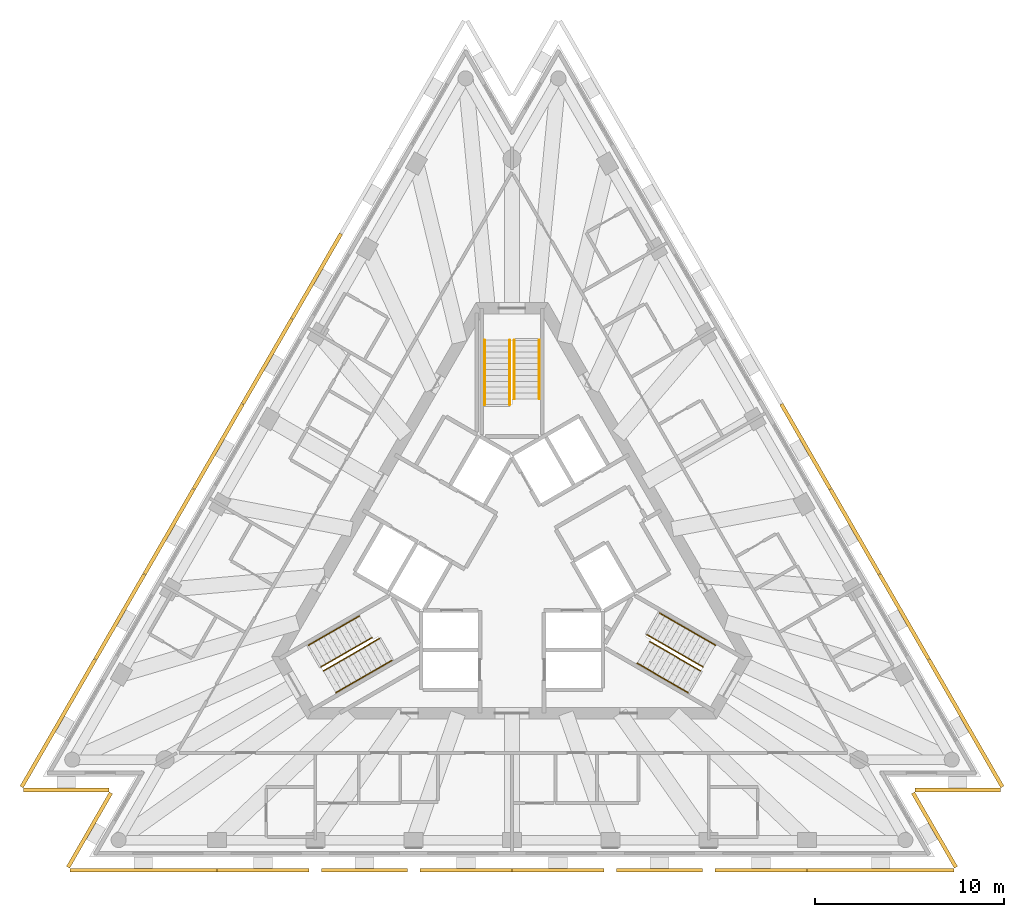
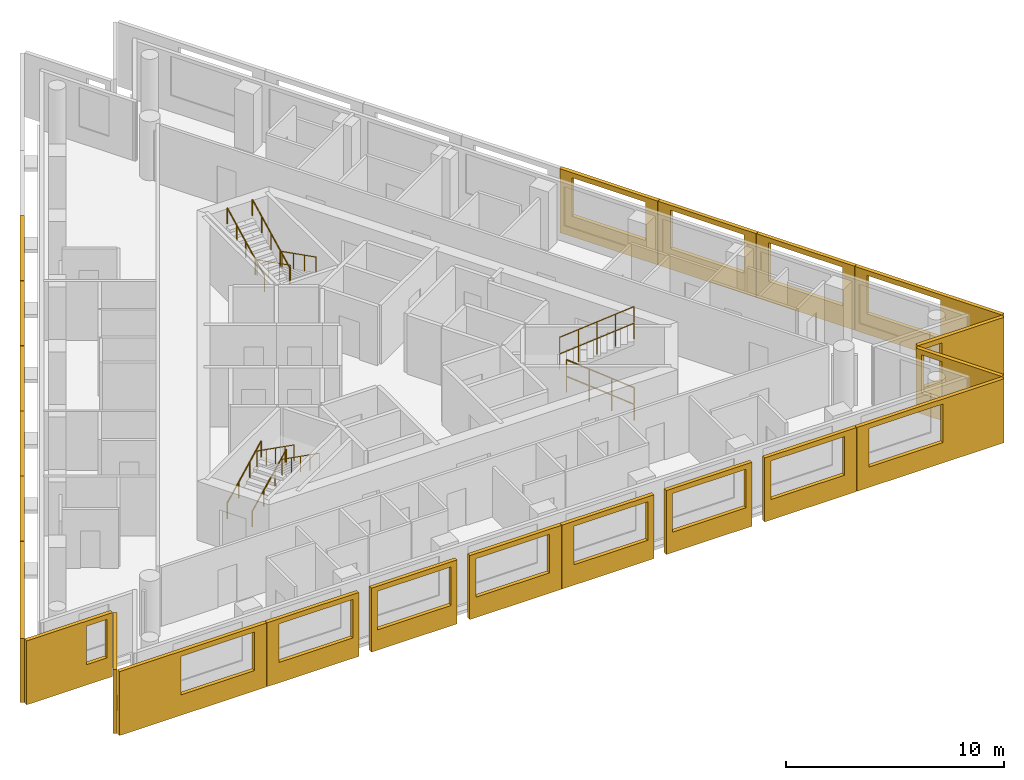
# One storey, part 9 of 10: 22 shading devices, 12 railings, 3 elements without a shape of their own.
"""IFC4 building model written with IfcOpenShell, lengths in metres."""

from ifc_helpers import new_model, si_unit, direction, frame, origin, origin_2d, place, context, subcontext, project, spatial, polyline, circle, outline, extrude, material, layer, layer_set, type_object, element, aggregate, save


model = new_model("IFC4")

# Units and contexts
model_context = context("Model", 3, precision=1e-05, world=origin(), true_north=direction((0.0, 1.0)))
body_context = subcontext(model_context, "Body", "Model", "MODEL_VIEW")
ifc_project = project(units=[si_unit("LENGTHUNIT", "METRE"), si_unit("AREAUNIT", "SQUARE_METRE"), si_unit("VOLUMEUNIT", "CUBIC_METRE"), si_unit("PLANEANGLEUNIT", "RADIAN"), si_unit("MASSUNIT", "GRAM", prefix="KILO")], contexts=[model_context])

# Site, building, storey
site_placement = place(None, origin())
site = spatial("IfcSite", under=ifc_project, at=site_placement, CompositionType="ELEMENT")
building_placement = place(site_placement, origin())
building = spatial("IfcBuilding", under=site, at=building_placement, Name="Triada Interchange Tower", CompositionType="ELEMENT")
storey_placement = place(building_placement, frame((0.0, 0.0, 315.10009765625)))
storey = spatial("IfcBuildingStorey", under=building, at=storey_placement, Name="L75", CompositionType="ELEMENT", Elevation=315.10009765625)

# Shading devices
ifc_material_1 = material(Name="Concrete C50/60 precast", Category="concrete")
ifc_layer_1 = layer(ifc_material_1, 0.02001953125, Name="Exposed aggregate face")
ifc_layer_2 = layer(ifc_material_1, 0.179931640625, Name="Precast concrete screen")
ifc_layer_set = layer_set([ifc_layer_1, ifc_layer_2], Name="Outer skin screen panel 3580")
shading_device_type = type_object("IfcShadingDeviceType", Name="Outer skin screen panel 3580", PredefinedType="SHUTTER", material=ifc_layer_set)
shading_device_1_placement = place(storey_placement, frame((-8.968017578125, 17.19189453125, -0.2900390625), z_axis=(0.0, 0.0, 1.0), x_axis=(-0.500082331196, -0.865977864628, 0.0)))
element("IfcShadingDevice", 1, at=shading_device_1_placement, inside=storey, type_object=shading_device_type, Name="Outer skin screen panel L75 03", PredefinedType="SHUTTER", context=body_context, shape_type="SweptSolid", body=[
    extrude(outline(polyline([(0.0, 0.0), (5.187255859375, 0.0), (5.187255859375, 3.579833984375), (0.0, 3.579833984375), (0.0, 0.0)]), holes=[polyline([(0.64404296875, 1.139892578125), (0.64404296875, 3.300048828125), (4.5439453125, 3.300048828125), (4.5439453125, 1.139892578125), (0.64404296875, 1.139892578125)])]), frame((0.0, 0.0, 0.0), z_axis=(0.0, -1.0, 0.0), x_axis=(1.0, 0.0, 0.0)), (0.0, 0.0, 1.0), 0.199951171875),
])
shading_device_2_placement = place(storey_placement, frame((-11.572021484375, 12.681884765625, -0.2900390625), z_axis=(0.0, 0.0, 1.0), x_axis=(-0.500082331196, -0.865977864628, 0.0)))
element("IfcShadingDevice", 2, at=shading_device_2_placement, inside=storey, type_object=shading_device_type, Name="Outer skin screen panel L75 04", PredefinedType="SHUTTER", context=body_context, shape_type="SweptSolid", body=[
    extrude(outline(polyline([(0.0, 0.0), (5.187255859375, 0.0), (5.187255859375, 3.579833984375), (0.0, 3.579833984375), (0.0, 0.0)]), holes=[polyline([(0.643798828125, 1.139892578125), (0.643798828125, 3.300048828125), (4.543701171875, 3.300048828125), (4.543701171875, 1.139892578125), (0.643798828125, 1.139892578125)])]), frame((0.0, 0.0, 0.0), z_axis=(0.0, -1.0, 0.0), x_axis=(1.0, 0.0, 0.0)), (0.0, 0.0, 1.0), 0.199951171875),
])
shading_device_3_placement = place(storey_placement, frame((-14.176025390625, 8.173095703125, -0.2900390625), z_axis=(0.0, 0.0, 1.0), x_axis=(-0.499920746991, -0.866071155695, 0.0)))
element("IfcShadingDevice", 3, at=shading_device_3_placement, inside=storey, type_object=shading_device_type, Name="Outer skin screen panel L75 05", PredefinedType="SHUTTER", context=body_context, shape_type="SweptSolid", body=[
    extrude(outline(polyline([(0.0, 0.0), (5.186767578125, 0.0), (5.186767578125, 3.579833984375), (0.0, 3.579833984375), (0.0, 0.0)]), holes=[polyline([(0.6435546875, 1.139892578125), (0.6435546875, 3.300048828125), (4.54345703125, 3.300048828125), (4.54345703125, 1.139892578125), (0.6435546875, 1.139892578125)])]), frame((0.0, 0.0, 0.0), z_axis=(0.0, -1.0, 0.0), x_axis=(1.0, 0.0, 0.0)), (0.0, 0.0, 1.0), 0.199951171875),
])
shading_device_4_placement = place(storey_placement, frame((-16.779052734375, 3.6630859375, -0.2900390625), z_axis=(0.0, 0.0, 1.0), x_axis=(-0.500061949227, -0.865989634427, 0.0)))
element("IfcShadingDevice", 4, at=shading_device_4_placement, inside=storey, type_object=shading_device_type, Name="Outer skin screen panel L75 06", PredefinedType="SHUTTER", context=body_context, shape_type="SweptSolid", body=[
    extrude(outline(polyline([(0.0, 0.0), (5.187255859375, 0.0), (5.187255859375, 3.579833984375), (0.0, 3.579833984375), (0.0, 0.0)]), holes=[polyline([(0.643310546875, 1.139892578125), (0.643310546875, 3.300048828125), (4.543212890625, 3.300048828125), (4.543212890625, 1.139892578125), (0.643310546875, 1.139892578125)])]), frame((0.0, 0.0, 0.0), z_axis=(0.0, -1.0, 0.0), x_axis=(1.0, 0.0, 0.0)), (0.0, 0.0, 1.0), 0.199951171875),
])
shading_device_5_placement = place(storey_placement, frame((-19.383056640625, -0.845947265625, -0.2900390625), z_axis=(0.0, 0.0, 1.0), x_axis=(-0.499980435197, -0.866036699234, 0.0)))
element("IfcShadingDevice", 5, at=shading_device_5_placement, inside=storey, type_object=shading_device_type, Name="Outer skin screen panel L75 07", PredefinedType="SHUTTER", context=body_context, shape_type="SweptSolid", body=[
    extrude(outline(polyline([(0.0, 0.0), (5.188232421875, 0.0), (5.188232421875, 3.579833984375), (0.0, 3.579833984375), (0.0, 0.0)]), holes=[polyline([(0.643798828125, 1.139892578125), (0.643798828125, 3.300048828125), (4.5439453125, 3.300048828125), (4.5439453125, 1.139892578125), (0.643798828125, 1.139892578125)])]), frame((0.0, 0.0, 0.0), z_axis=(0.0, -1.0, 0.0), x_axis=(1.0, 0.0, 0.0)), (0.0, 0.0, 1.0), 0.199951171875),
])
shading_device_6_placement = place(storey_placement, frame((-21.987060546875, -5.35595703125, -0.2900390625), z_axis=(0.0, 0.0, 1.0), x_axis=(-0.499940544041, -0.866059727977, 0.0)))
element("IfcShadingDevice", 6, at=shading_device_6_placement, inside=storey, type_object=shading_device_type, Name="Outer skin screen panel L75 08", PredefinedType="SHUTTER", context=body_context, shape_type="SweptSolid", body=[
    extrude(outline(polyline([(0.0, 0.0), (7.78466796875, 0.0), (7.78466796875, 3.579833984375), (0.0, 3.579833984375), (0.0, 0.0)]), holes=[polyline([(0.643798828125, 1.139892578125), (0.643798828125, 3.300048828125), (4.543701171875, 3.300048828125), (4.543701171875, 1.139892578125), (0.643798828125, 1.139892578125)])]), frame((0.0, 0.0, 0.0), z_axis=(0.0, -1.0, 0.0), x_axis=(1.0, 0.0, 0.0)), (0.0, 0.0, 1.0), 0.199951171875),
])
shading_device_7_placement = place(storey_placement, frame((-25.8740234375, -12.10693359375, -0.2900390625), z_axis=(0.0, 0.0, 1.0), x_axis=(1.0, 0.0, 0.0)))
element("IfcShadingDevice", 7, at=shading_device_7_placement, inside=storey, type_object=shading_device_type, Name="Outer skin screen panel L75 09", PredefinedType="SHUTTER", context=body_context, shape_type="SweptSolid", body=[
    extrude(outline(polyline([(0.0, 0.0), (4.547119140625, 0.0), (4.547119140625, 3.579833984375), (0.0, 3.579833984375), (0.0, 0.0)]), holes=[polyline([(3.175048828125, 1.139892578125), (3.175048828125, 3.300048828125), (4.2470703125, 3.300048828125), (4.2470703125, 1.139892578125), (3.175048828125, 1.139892578125)])]), frame((0.0, 0.0, 0.0), z_axis=(0.0, -1.0, 0.0), x_axis=(1.0, 0.0, 0.0)), (0.0, 0.0, 1.0), 0.199951171875),
])
shading_device_8_placement = place(storey_placement, frame((-21.14794921875, -12.416015625, -0.2900390625), z_axis=(0.0, 0.0, 1.0), x_axis=(-0.500094224052, -0.865970996668, 0.0)))
element("IfcShadingDevice", 8, at=shading_device_8_placement, inside=storey, type_object=shading_device_type, Name="Outer skin screen panel L75 10", PredefinedType="SHUTTER", context=body_context, shape_type="SweptSolid", body=[
    extrude(outline(polyline([(0.0, 0.0), (4.54736328125, 0.0), (4.54736328125, 3.579833984375), (0.0, 3.579833984375), (0.0, 0.0)]), holes=[polyline([(0.300048828125, 1.139892578125), (0.300048828125, 3.300048828125), (1.258056640625, 3.300048828125), (1.258056640625, 1.139892578125), (0.300048828125, 1.139892578125)])]), frame((0.0, 0.0, 0.0), z_axis=(0.0, -1.0, 0.0), x_axis=(1.0, 0.0, 0.0)), (0.0, 0.0, 1.0), 0.199951171875),
])
shading_device_9_placement = place(storey_placement, frame((-23.4169921875, -16.363037109375, -0.2900390625), z_axis=(0.0, 0.0, 1.0), x_axis=(1.0, 0.0, 0.0)))
element("IfcShadingDevice", 9, at=shading_device_9_placement, inside=storey, type_object=shading_device_type, Name="Outer skin screen panel L75 11", PredefinedType="SHUTTER", context=body_context, shape_type="SweptSolid", body=[
    extrude(outline(polyline([(0.0, 0.0), (7.784912109375, 0.0), (7.784912109375, 3.579833984375), (0.0, 3.579833984375), (0.0, 0.0)]), holes=[polyline([(3.241943359375, 1.139892578125), (3.241943359375, 3.300048828125), (7.14208984375, 3.300048828125), (7.14208984375, 1.139892578125), (3.241943359375, 1.139892578125)])]), frame((0.0, 0.0, 0.0), z_axis=(0.0, -1.0, 0.0), x_axis=(1.0, 0.0, 0.0)), (0.0, 0.0, 1.0), 0.199951171875),
])
shading_device_10_placement = place(storey_placement, frame((-15.612060546875, -16.363037109375, -0.2900390625), z_axis=(0.0, 0.0, 1.0), x_axis=(1.0, 0.0, 0.0)))
element("IfcShadingDevice", 10, at=shading_device_10_placement, inside=storey, type_object=shading_device_type, Name="Outer skin screen panel L75 12", PredefinedType="SHUTTER", context=body_context, shape_type="SweptSolid", body=[
    extrude(outline(polyline([(0.0, 0.0), (4.864013671875, 0.0), (4.864013671875, 3.579833984375), (0.0, 3.579833984375), (0.0, 0.0)]), holes=[polyline([(0.643798828125, 1.139892578125), (0.643798828125, 3.300048828125), (4.543701171875, 3.300048828125), (4.543701171875, 1.139892578125), (0.643798828125, 1.139892578125)])]), frame((0.0, 0.0, 0.0), z_axis=(0.0, -1.0, 0.0), x_axis=(1.0, 0.0, 0.0)), (0.0, 0.0, 1.0), 0.199951171875),
])
shading_device_11_placement = place(storey_placement, frame((-10.080078125, -16.363037109375, -0.2900390625), z_axis=(0.0, 0.0, 1.0), x_axis=(1.0, 0.0, 0.0)))
element("IfcShadingDevice", 11, at=shading_device_11_placement, inside=storey, type_object=shading_device_type, Name="Outer skin screen panel L75 13", PredefinedType="SHUTTER", context=body_context, shape_type="SweptSolid", body=[
    extrude(outline(polyline([(0.0, 0.0), (4.5390625, 0.0), (4.5390625, 3.579833984375), (0.0, 3.579833984375), (0.0, 0.0)]), holes=[polyline([(0.319091796875, 1.139892578125), (0.319091796875, 3.300048828125), (4.218994140625, 3.300048828125), (4.218994140625, 1.139892578125), (0.319091796875, 1.139892578125)])]), frame((0.0, 0.0, 0.0), z_axis=(0.0, -1.0, 0.0), x_axis=(1.0, 0.0, 0.0)), (0.0, 0.0, 1.0), 0.199951171875),
])
shading_device_12_placement = place(storey_placement, frame((-4.873046875, -16.363037109375, -0.2900390625), z_axis=(0.0, 0.0, 1.0), x_axis=(1.0, 0.0, 0.0)))
element("IfcShadingDevice", 12, at=shading_device_12_placement, inside=storey, type_object=shading_device_type, Name="Outer skin screen panel L75 14", PredefinedType="SHUTTER", context=body_context, shape_type="SweptSolid", body=[
    extrude(outline(polyline([(0.0, 0.0), (4.863037109375, 0.0), (4.863037109375, 3.579833984375), (0.0, 3.579833984375), (0.0, 0.0)]), holes=[polyline([(0.319091796875, 1.139892578125), (0.319091796875, 3.300048828125), (4.218994140625, 3.300048828125), (4.218994140625, 1.139892578125), (0.319091796875, 1.139892578125)])]), frame((0.0, 0.0, 0.0), z_axis=(0.0, -1.0, 0.0), x_axis=(1.0, 0.0, 0.0)), (0.0, 0.0, 1.0), 0.199951171875),
])
shading_device_13_placement = place(storey_placement, frame((0.010009765625, -16.363037109375, -0.2900390625), z_axis=(0.0, 0.0, 1.0), x_axis=(1.0, 0.0, 0.0)))
element("IfcShadingDevice", 13, at=shading_device_13_placement, inside=storey, type_object=shading_device_type, Name="Outer skin screen panel L75 15", PredefinedType="SHUTTER", context=body_context, shape_type="SweptSolid", body=[
    extrude(outline(polyline([(0.0, 0.0), (4.863037109375, 0.0), (4.863037109375, 3.579833984375), (0.0, 3.579833984375), (0.0, 0.0)]), holes=[polyline([(0.64404296875, 1.139892578125), (0.64404296875, 3.300048828125), (4.5439453125, 3.300048828125), (4.5439453125, 1.139892578125), (0.64404296875, 1.139892578125)])]), frame((0.0, 0.0, 0.0), z_axis=(0.0, -1.0, 0.0), x_axis=(1.0, 0.0, 0.0)), (0.0, 0.0, 1.0), 0.199951171875),
])
shading_device_14_placement = place(storey_placement, frame((5.541015625, -16.363037109375, -0.2900390625), z_axis=(0.0, 0.0, 1.0), x_axis=(1.0, 0.0, 0.0)))
element("IfcShadingDevice", 14, at=shading_device_14_placement, inside=storey, type_object=shading_device_type, Name="Outer skin screen panel L75 16", PredefinedType="SHUTTER", context=body_context, shape_type="SweptSolid", body=[
    extrude(outline(polyline([(0.0, 0.0), (4.5390625, 0.0), (4.5390625, 3.579833984375), (0.0, 3.579833984375), (0.0, 0.0)]), holes=[polyline([(0.320068359375, 1.139892578125), (0.320068359375, 3.300048828125), (4.219970703125, 3.300048828125), (4.219970703125, 1.139892578125), (0.320068359375, 1.139892578125)])]), frame((0.0, 0.0, 0.0), z_axis=(0.0, -1.0, 0.0), x_axis=(1.0, 0.0, 0.0)), (0.0, 0.0, 1.0), 0.199951171875),
])
shading_device_15_placement = place(storey_placement, frame((10.748046875, -16.363037109375, -0.2900390625), z_axis=(0.0, 0.0, 1.0), x_axis=(1.0, 0.0, 0.0)))
element("IfcShadingDevice", 15, at=shading_device_15_placement, inside=storey, type_object=shading_device_type, Name="Outer skin screen panel L75 17", PredefinedType="SHUTTER", context=body_context, shape_type="SweptSolid", body=[
    extrude(outline(polyline([(0.0, 0.0), (4.864013671875, 0.0), (4.864013671875, 3.579833984375), (0.0, 3.579833984375), (0.0, 0.0)]), holes=[polyline([(0.320068359375, 1.139892578125), (0.320068359375, 3.300048828125), (4.219970703125, 3.300048828125), (4.219970703125, 1.139892578125), (0.320068359375, 1.139892578125)])]), frame((0.0, 0.0, 0.0), z_axis=(0.0, -1.0, 0.0), x_axis=(1.0, 0.0, 0.0)), (0.0, 0.0, 1.0), 0.199951171875),
])
shading_device_16_placement = place(storey_placement, frame((15.632080078125, -16.363037109375, -0.2900390625), z_axis=(0.0, 0.0, 1.0), x_axis=(1.0, 0.0, 0.0)))
element("IfcShadingDevice", 16, at=shading_device_16_placement, inside=storey, type_object=shading_device_type, Name="Outer skin screen panel L75 18", PredefinedType="SHUTTER", context=body_context, shape_type="SweptSolid", body=[
    extrude(outline(polyline([(0.0, 0.0), (7.784912109375, 0.0), (7.784912109375, 3.579833984375), (0.0, 3.579833984375), (0.0, 0.0)]), holes=[polyline([(0.643310546875, 1.139892578125), (0.643310546875, 3.300048828125), (4.543212890625, 3.300048828125), (4.543212890625, 1.139892578125), (0.643310546875, 1.139892578125)])]), frame((0.0, 0.0, 0.0), z_axis=(0.0, -1.0, 0.0), x_axis=(1.0, 0.0, 0.0)), (0.0, 0.0, 1.0), 0.199951171875),
])
shading_device_17_placement = place(storey_placement, frame((23.422119140625, -16.35400390625, -0.2900390625), z_axis=(0.0, 0.0, 1.0), x_axis=(-0.500094224052, 0.865970996668, 0.0)))
element("IfcShadingDevice", 17, at=shading_device_17_placement, inside=storey, type_object=shading_device_type, Name="Outer skin screen panel L75 19", PredefinedType="SHUTTER", context=body_context, shape_type="SweptSolid", body=[
    extrude(outline(polyline([(0.0, 0.0), (4.54736328125, 0.0), (4.54736328125, 3.579833984375), (0.0, 3.579833984375), (0.0, 0.0)]), holes=[polyline([(3.17529296875, 1.139892578125), (3.17529296875, 3.300048828125), (4.24755859375, 3.300048828125), (4.24755859375, 1.139892578125), (3.17529296875, 1.139892578125)])]), frame((0.0, 0.0, 0.0), z_axis=(0.0, -1.0, 0.0), x_axis=(1.0, 0.0, 0.0)), (0.0, 0.0, 1.0), 0.199951171875),
])
shading_device_18_placement = place(storey_placement, frame((21.326904296875, -12.10693359375, -0.2900390625), z_axis=(0.0, 0.0, 1.0), x_axis=(1.0, 0.0, 0.0)))
element("IfcShadingDevice", 18, at=shading_device_18_placement, inside=storey, type_object=shading_device_type, Name="Outer skin screen panel L75 20", PredefinedType="SHUTTER", context=body_context, shape_type="SweptSolid", body=[
    extrude(outline(polyline([(0.0, 0.0), (4.547119140625, 0.0), (4.547119140625, 3.579833984375), (0.0, 3.579833984375), (0.0, 0.0)]), holes=[polyline([(0.300048828125, 1.139892578125), (0.300048828125, 3.300048828125), (1.258056640625, 3.300048828125), (1.258056640625, 1.139892578125), (0.300048828125, 1.139892578125)])]), frame((0.0, 0.0, 0.0), z_axis=(0.0, -1.0, 0.0), x_axis=(1.0, 0.0, 0.0)), (0.0, 0.0, 1.0), 0.199951171875),
])
shading_device_19_placement = place(storey_placement, frame((25.87890625, -12.097900390625, -0.2900390625), z_axis=(0.0, 0.0, 1.0), x_axis=(-0.499940544041, 0.866059727977, 0.0)))
element("IfcShadingDevice", 19, at=shading_device_19_placement, inside=storey, type_object=shading_device_type, Name="Outer skin screen panel L75 21", PredefinedType="SHUTTER", context=body_context, shape_type="SweptSolid", body=[
    extrude(outline(polyline([(0.0, 0.0), (7.78466796875, 0.0), (7.78466796875, 3.579833984375), (0.0, 3.579833984375), (0.0, 0.0)]), holes=[polyline([(3.2412109375, 1.139892578125), (3.2412109375, 3.300048828125), (7.141357421875, 3.300048828125), (7.141357421875, 1.139892578125), (3.2412109375, 1.139892578125)])]), frame((0.0, 0.0, 0.0), z_axis=(0.0, -1.0, 0.0), x_axis=(1.0, 0.0, 0.0)), (0.0, 0.0, 1.0), 0.199951171875),
])
shading_device_20_placement = place(storey_placement, frame((21.97705078125, -5.339111328125, -0.2900390625), z_axis=(0.0, 0.0, 1.0), x_axis=(-0.499980435197, 0.866036699234, 0.0)))
element("IfcShadingDevice", 20, at=shading_device_20_placement, inside=storey, type_object=shading_device_type, Name="Outer skin screen panel L75 22", PredefinedType="SHUTTER", context=body_context, shape_type="SweptSolid", body=[
    extrude(outline(polyline([(0.0, 0.0), (5.188232421875, 0.0), (5.188232421875, 3.579833984375), (0.0, 3.579833984375), (0.0, 0.0)]), holes=[polyline([(0.64404296875, 1.139892578125), (0.64404296875, 3.300048828125), (4.5439453125, 3.300048828125), (4.5439453125, 1.139892578125), (0.64404296875, 1.139892578125)])]), frame((0.0, 0.0, 0.0), z_axis=(0.0, -1.0, 0.0), x_axis=(1.0, 0.0, 0.0)), (0.0, 0.0, 1.0), 0.199951171875),
])
shading_device_21_placement = place(storey_placement, frame((19.373046875, -0.8291015625, -0.2900390625), z_axis=(0.0, 0.0, 1.0), x_axis=(-0.500061949227, 0.865989634427, 0.0)))
element("IfcShadingDevice", 21, at=shading_device_21_placement, inside=storey, type_object=shading_device_type, Name="Outer skin screen panel L75 23", PredefinedType="SHUTTER", context=body_context, shape_type="SweptSolid", body=[
    extrude(outline(polyline([(0.0, 0.0), (5.187255859375, 0.0), (5.187255859375, 3.579833984375), (0.0, 3.579833984375), (0.0, 0.0)]), holes=[polyline([(0.643798828125, 1.139892578125), (0.643798828125, 3.300048828125), (4.543701171875, 3.300048828125), (4.543701171875, 1.139892578125), (0.643798828125, 1.139892578125)])]), frame((0.0, 0.0, 0.0), z_axis=(0.0, -1.0, 0.0), x_axis=(1.0, 0.0, 0.0)), (0.0, 0.0, 1.0), 0.199951171875),
])
shading_device_22_placement = place(storey_placement, frame((16.76904296875, 3.680908203125, -0.2900390625), z_axis=(0.0, 0.0, 1.0), x_axis=(-0.499920746991, 0.866071155695, 0.0)))
element("IfcShadingDevice", 22, at=shading_device_22_placement, inside=storey, type_object=shading_device_type, Name="Outer skin screen panel L75 24", PredefinedType="SHUTTER", context=body_context, shape_type="SweptSolid", body=[
    extrude(outline(polyline([(0.0, 0.0), (5.186767578125, 0.0), (5.186767578125, 3.579833984375), (0.0, 3.579833984375), (0.0, 0.0)]), holes=[polyline([(0.643310546875, 1.139892578125), (0.643310546875, 3.300048828125), (4.54345703125, 3.300048828125), (4.54345703125, 1.139892578125), (0.643310546875, 1.139892578125)])]), frame((0.0, 0.0, 0.0), z_axis=(0.0, -1.0, 0.0), x_axis=(1.0, 0.0, 0.0)), (0.0, 0.0, 1.0), 0.199951171875),
])

# Stair, railings
ifc_material_2 = material(Name="Concrete C35/45", Category="concrete")
stair_type = type_object("IfcStairType", Name="HALF TURN STAIR 1400", PredefinedType="HALF_TURN_STAIR", material=ifc_material_2)
stair_1_placement = place(storey_placement, origin())
stair_1 = element("IfcStair", 23, at=stair_1_placement, inside=storey, type_object=stair_type, Name="Exit stair S74-1", PredefinedType="HALF_TURN_STAIR")
ifc_material_3 = material(Name="Stainless steel 1.4301", Category="steel")
railing_type = type_object("IfcRailingType", Name="STAIR HANDRAIL 900", PredefinedType="HANDRAIL", material=ifc_material_3)
railing_1_placement = place(storey_placement, frame((1.449951171875, 11.60009765625, 0.156494140625)))
railing_1 = element("IfcRailing", 24, at=railing_1_placement, type_object=railing_type, Name="Handrail S74-1 1W", PredefinedType="HANDRAIL", context=body_context, shape_type="SweptSolid", body=[
    extrude(circle(Radius=0.02392578125, at=origin_2d()), frame((0.0, 0.0, 0.8759765625), z_axis=(0.0, -0.89267693942, 0.450697106522), x_axis=(1.0, 0.0, 0.0)), (0.0, 0.0, 1.0), 3.472900390625),
    extrude(circle(Radius=0.02099609375, at=origin_2d()), origin(), (0.0, 0.0, 1.0), 0.851806640625),
    extrude(circle(Radius=0.02099609375, at=origin_2d()), frame((0.0, -1.033447265625, 0.521728515625)), (0.0, 0.0, 1.0), 0.851806640625),
    extrude(circle(Radius=0.02099609375, at=origin_2d()), frame((0.0, -2.066650390625, 1.04345703125)), (0.0, 0.0, 1.0), 0.851806640625),
    extrude(circle(Radius=0.02099609375, at=origin_2d()), frame((0.0, -3.10009765625, 1.565185546875)), (0.0, 0.0, 1.0), 0.851806640625),
])
railing_2_placement = place(storey_placement, frame((0.1201171875, 11.60009765625, 0.156494140625)))
railing_2 = element("IfcRailing", 25, at=railing_2_placement, type_object=railing_type, Name="Handrail S74-1 1C", PredefinedType="HANDRAIL", context=body_context, shape_type="SweptSolid", body=[
    extrude(circle(Radius=0.02392578125, at=origin_2d()), frame((0.0, 0.0, 0.8759765625), z_axis=(0.0, -0.89267693942, 0.450697106522), x_axis=(1.0, 0.0, 0.0)), (0.0, 0.0, 1.0), 3.472900390625),
    extrude(circle(Radius=0.02099609375, at=origin_2d()), origin(), (0.0, 0.0, 1.0), 0.851806640625),
    extrude(circle(Radius=0.02099609375, at=origin_2d()), frame((0.0, -1.033447265625, 0.521728515625)), (0.0, 0.0, 1.0), 0.851806640625),
    extrude(circle(Radius=0.02099609375, at=origin_2d()), frame((0.0, -2.066650390625, 1.04345703125)), (0.0, 0.0, 1.0), 0.851806640625),
    extrude(circle(Radius=0.02099609375, at=origin_2d()), frame((0.0, -3.10009765625, 1.565185546875)), (0.0, 0.0, 1.0), 0.851806640625),
])
railing_3_placement = place(storey_placement, frame((-1.449951171875, 8.18994140625, 1.878173828125)))
railing_3 = element("IfcRailing", 26, at=railing_3_placement, type_object=railing_type, Name="Handrail S74-1 2W", PredefinedType="HANDRAIL", context=body_context, shape_type="SweptSolid", body=[
    extrude(circle(Radius=0.02392578125, at=origin_2d()), frame((0.0, 0.0, 0.8759765625), z_axis=(0.0, 0.892682106939, 0.450686871287), x_axis=(-1.0, 0.0, 0.0)), (0.0, 0.0, 1.0), 3.820068359375),
    extrude(circle(Radius=0.02099609375, at=origin_2d()), origin(), (0.0, 0.0, 1.0), 0.851806640625),
    extrude(circle(Radius=0.02099609375, at=origin_2d()), frame((0.0, 0.8525390625, 0.430419921875)), (0.0, 0.0, 1.0), 0.851806640625),
    extrude(circle(Radius=0.02099609375, at=origin_2d()), frame((0.0, 1.705078125, 0.86083984375)), (0.0, 0.0, 1.0), 0.851806640625),
    extrude(circle(Radius=0.02099609375, at=origin_2d()), frame((0.0, 2.5576171875, 1.291259765625)), (0.0, 0.0, 1.0), 0.851806640625),
    extrude(circle(Radius=0.02099609375, at=origin_2d()), frame((0.0, 3.41015625, 1.7216796875)), (0.0, 0.0, 1.0), 0.851806640625),
])
railing_4_placement = place(storey_placement, frame((-0.1201171875, 8.18994140625, 1.878173828125)))
railing_4 = element("IfcRailing", 27, at=railing_4_placement, type_object=railing_type, Name="Handrail S74-1 2C", PredefinedType="HANDRAIL", context=body_context, shape_type="SweptSolid", body=[
    extrude(circle(Radius=0.02392578125, at=origin_2d()), frame((0.0, 0.0, 0.8759765625), z_axis=(0.0, 0.892682106939, 0.450686871287), x_axis=(-1.0, 0.0, 0.0)), (0.0, 0.0, 1.0), 3.820068359375),
    extrude(circle(Radius=0.02099609375, at=origin_2d()), origin(), (0.0, 0.0, 1.0), 0.851806640625),
    extrude(circle(Radius=0.02099609375, at=origin_2d()), frame((0.0, 0.8525390625, 0.430419921875)), (0.0, 0.0, 1.0), 0.851806640625),
    extrude(circle(Radius=0.02099609375, at=origin_2d()), frame((0.0, 1.705078125, 0.86083984375)), (0.0, 0.0, 1.0), 0.851806640625),
    extrude(circle(Radius=0.02099609375, at=origin_2d()), frame((0.0, 2.5576171875, 1.291259765625)), (0.0, 0.0, 1.0), 0.851806640625),
    extrude(circle(Radius=0.02099609375, at=origin_2d()), frame((0.0, 3.41015625, 1.7216796875)), (0.0, 0.0, 1.0), 0.851806640625),
])
aggregate(stair_1, [railing_1, railing_2, railing_3, railing_4])

stair_2_placement = place(storey_placement, origin())
stair_2 = element("IfcStair", 28, at=stair_2_placement, inside=storey, type_object=stair_type, Name="Exit stair S74-2", PredefinedType="HALF_TURN_STAIR")
railing_5_placement = place(storey_placement, frame((-10.77099609375, -4.5439453125, 0.156494140625)))
railing_5 = element("IfcRailing", 29, at=railing_5_placement, type_object=railing_type, Name="Handrail S74-2 1W", PredefinedType="HANDRAIL", context=body_context, shape_type="SweptSolid", body=[
    extrude(circle(Radius=0.02392578125, at=origin_2d()), frame((0.0, 0.0, 0.8759765625), z_axis=(0.773115112249, 0.446309133267, 0.4506674836), x_axis=(-0.499958760481, 0.866049212123, 0.0)), (0.0, 0.0, 1.0), 3.47314453125),
    extrude(circle(Radius=0.02099609375, at=origin_2d()), origin(), (0.0, 0.0, 1.0), 0.851806640625),
    extrude(circle(Radius=0.02099609375, at=origin_2d()), frame((0.89501953125, 0.5166015625, 0.521728515625)), (0.0, 0.0, 1.0), 0.851806640625),
    extrude(circle(Radius=0.02099609375, at=origin_2d()), frame((1.7900390625, 1.033447265625, 1.04345703125)), (0.0, 0.0, 1.0), 0.851806640625),
    extrude(circle(Radius=0.02099609375, at=origin_2d()), frame((2.68505859375, 1.550048828125, 1.565185546875)), (0.0, 0.0, 1.0), 0.851806640625),
])
railing_6_placement = place(storey_placement, frame((-10.10595703125, -5.696044921875, 0.156494140625)))
railing_6 = element("IfcRailing", 30, at=railing_6_placement, type_object=railing_type, Name="Handrail S74-2 1C", PredefinedType="HANDRAIL", context=body_context, shape_type="SweptSolid", body=[
    extrude(circle(Radius=0.02392578125, at=origin_2d()), frame((0.0, 0.0, 0.8759765625), z_axis=(0.773115112249, 0.446309133267, 0.4506674836), x_axis=(-0.499958760481, 0.866049212123, 0.0)), (0.0, 0.0, 1.0), 3.47314453125),
    extrude(circle(Radius=0.02099609375, at=origin_2d()), origin(), (0.0, 0.0, 1.0), 0.851806640625),
    extrude(circle(Radius=0.02099609375, at=origin_2d()), frame((0.89501953125, 0.5166015625, 0.521728515625)), (0.0, 0.0, 1.0), 0.851806640625),
    extrude(circle(Radius=0.02099609375, at=origin_2d()), frame((1.7900390625, 1.033447265625, 1.04345703125)), (0.0, 0.0, 1.0), 0.851806640625),
    extrude(circle(Radius=0.02099609375, at=origin_2d()), frame((2.68505859375, 1.550048828125, 1.565185546875)), (0.0, 0.0, 1.0), 0.851806640625),
])
railing_7_placement = place(storey_placement, frame((-6.367919921875, -5.35107421875, 1.878173828125)))
railing_7 = element("IfcRailing", 31, at=railing_7_placement, type_object=railing_type, Name="Handrail S74-2 2W", PredefinedType="HANDRAIL", context=body_context, shape_type="SweptSolid", body=[
    extrude(circle(Radius=0.02392578125, at=origin_2d()), frame((0.0, 0.0, 0.8759765625), z_axis=(-0.773090904651, -0.446304049866, 0.450714042625), x_axis=(0.499966231165, -0.866044899352, 0.0)), (0.0, 0.0, 1.0), 3.81982421875),
    extrude(circle(Radius=0.02099609375, at=origin_2d()), origin(), (0.0, 0.0, 1.0), 0.851806640625),
    extrude(circle(Radius=0.02099609375, at=origin_2d()), frame((-0.73828125, -0.42626953125, 0.430419921875)), (0.0, 0.0, 1.0), 0.851806640625),
    extrude(circle(Radius=0.02099609375, at=origin_2d()), frame((-1.4765625, -0.8525390625, 0.86083984375)), (0.0, 0.0, 1.0), 0.851806640625),
    extrude(circle(Radius=0.02099609375, at=origin_2d()), frame((-2.21484375, -1.278564453125, 1.291259765625)), (0.0, 0.0, 1.0), 0.851806640625),
    extrude(circle(Radius=0.02099609375, at=origin_2d()), frame((-2.953125, -1.704833984375, 1.7216796875)), (0.0, 0.0, 1.0), 0.851806640625),
])
railing_8_placement = place(storey_placement, frame((-7.032958984375, -4.198974609375, 1.878173828125)))
railing_8 = element("IfcRailing", 32, at=railing_8_placement, type_object=railing_type, Name="Handrail S74-2 2C", PredefinedType="HANDRAIL", context=body_context, shape_type="SweptSolid", body=[
    extrude(circle(Radius=0.02392578125, at=origin_2d()), frame((0.0, 0.0, 0.8759765625), z_axis=(-0.773068851904, -0.446355229968, 0.450701185816), x_axis=(0.50001992892, -0.866013897511, 0.0)), (0.0, 0.0, 1.0), 3.820068359375),
    extrude(circle(Radius=0.02099609375, at=origin_2d()), origin(), (0.0, 0.0, 1.0), 0.851806640625),
    extrude(circle(Radius=0.02099609375, at=origin_2d()), frame((-0.73828125, -0.42626953125, 0.430419921875)), (0.0, 0.0, 1.0), 0.851806640625),
    extrude(circle(Radius=0.02099609375, at=origin_2d()), frame((-1.4765625, -0.8525390625, 0.86083984375)), (0.0, 0.0, 1.0), 0.851806640625),
    extrude(circle(Radius=0.02099609375, at=origin_2d()), frame((-2.21484375, -1.27880859375, 1.291259765625)), (0.0, 0.0, 1.0), 0.851806640625),
    extrude(circle(Radius=0.02099609375, at=origin_2d()), frame((-2.953125, -1.705078125, 1.7216796875)), (0.0, 0.0, 1.0), 0.851806640625),
])
aggregate(stair_2, [railing_5, railing_6, railing_7, railing_8])

stair_3_placement = place(storey_placement, origin())
stair_3 = element("IfcStair", 33, at=stair_3_placement, inside=storey, type_object=stair_type, Name="Exit stair S74-3", PredefinedType="HALF_TURN_STAIR")
railing_9_placement = place(storey_placement, frame((9.321044921875, -7.055908203125, 0.156494140625)))
railing_9 = element("IfcRailing", 34, at=railing_9_placement, type_object=railing_type, Name="Handrail S74-3 1W", PredefinedType="HANDRAIL", context=body_context, shape_type="SweptSolid", body=[
    extrude(circle(Radius=0.02392578125, at=origin_2d()), frame((0.0, 0.0, 0.8759765625), z_axis=(-0.773139366989, 0.446252837029, 0.450681622274), x_axis=(-0.499899694197, -0.866083307622, 0.0)), (0.0, 0.0, 1.0), 3.472900390625),
    extrude(circle(Radius=0.02099609375, at=origin_2d()), origin(), (0.0, 0.0, 1.0), 0.851806640625),
    extrude(circle(Radius=0.02099609375, at=origin_2d()), frame((-0.89501953125, 0.5166015625, 0.521728515625)), (0.0, 0.0, 1.0), 0.851806640625),
    extrude(circle(Radius=0.02099609375, at=origin_2d()), frame((-1.7900390625, 1.033203125, 1.04345703125)), (0.0, 0.0, 1.0), 0.851806640625),
    extrude(circle(Radius=0.02099609375, at=origin_2d()), frame((-2.68505859375, 1.5498046875, 1.565185546875)), (0.0, 0.0, 1.0), 0.851806640625),
])
railing_10_placement = place(storey_placement, frame((9.986083984375, -5.904052734375, 0.156494140625)))
railing_10 = element("IfcRailing", 35, at=railing_10_placement, type_object=railing_type, Name="Handrail S74-3 1C", PredefinedType="HANDRAIL", context=body_context, shape_type="SweptSolid", body=[
    extrude(circle(Radius=0.02392578125, at=origin_2d()), frame((0.0, 0.0, 0.8759765625), z_axis=(-0.773115112249, 0.446309133267, 0.4506674836), x_axis=(-0.499958760481, -0.866049212123, 0.0)), (0.0, 0.0, 1.0), 3.47314453125),
    extrude(circle(Radius=0.02099609375, at=origin_2d()), origin(), (0.0, 0.0, 1.0), 0.851806640625),
    extrude(circle(Radius=0.02099609375, at=origin_2d()), frame((-0.89501953125, 0.5166015625, 0.521728515625)), (0.0, 0.0, 1.0), 0.851806640625),
    extrude(circle(Radius=0.02099609375, at=origin_2d()), frame((-1.7900390625, 1.033447265625, 1.04345703125)), (0.0, 0.0, 1.0), 0.851806640625),
    extrude(circle(Radius=0.02099609375, at=origin_2d()), frame((-2.68505859375, 1.550048828125, 1.565185546875)), (0.0, 0.0, 1.0), 0.851806640625),
])
railing_11_placement = place(storey_placement, frame((7.818115234375, -2.839111328125, 1.878173828125)))
railing_11 = element("IfcRailing", 36, at=railing_11_placement, type_object=railing_type, Name="Handrail S74-3 2W", PredefinedType="HANDRAIL", context=body_context, shape_type="SweptSolid", body=[
    extrude(circle(Radius=0.02392578125, at=origin_2d()), frame((0.0, 0.0, 0.8759765625), z_axis=(0.773065188623, -0.4463261027, 0.450736313367), x_axis=(0.499997234054, 0.866027000698, 0.0)), (0.0, 0.0, 1.0), 3.81982421875),
    extrude(circle(Radius=0.02099609375, at=origin_2d()), origin(), (0.0, 0.0, 1.0), 0.851806640625),
    extrude(circle(Radius=0.02099609375, at=origin_2d()), frame((0.73828125, -0.42626953125, 0.430419921875)), (0.0, 0.0, 1.0), 0.851806640625),
    extrude(circle(Radius=0.02099609375, at=origin_2d()), frame((1.4765625, -0.8525390625, 0.86083984375)), (0.0, 0.0, 1.0), 0.851806640625),
    extrude(circle(Radius=0.02099609375, at=origin_2d()), frame((2.214599609375, -1.278564453125, 1.291259765625)), (0.0, 0.0, 1.0), 0.851806640625),
    extrude(circle(Radius=0.02099609375, at=origin_2d()), frame((2.952880859375, -1.704833984375, 1.7216796875)), (0.0, 0.0, 1.0), 0.851806640625),
])
railing_12_placement = place(storey_placement, frame((7.153076171875, -3.990966796875, 1.878173828125)))
railing_12 = element("IfcRailing", 37, at=railing_12_placement, type_object=railing_type, Name="Handrail S74-3 2C", PredefinedType="HANDRAIL", context=body_context, shape_type="SweptSolid", body=[
    extrude(circle(Radius=0.02392578125, at=origin_2d()), frame((0.0, 0.0, 0.8759765625), z_axis=(0.773043134431, -0.446377284073, 0.450723454651), x_axis=(0.500050932918, 0.865995995653, 0.0)), (0.0, 0.0, 1.0), 3.81982421875),
    extrude(circle(Radius=0.02099609375, at=origin_2d()), origin(), (0.0, 0.0, 1.0), 0.851806640625),
    extrude(circle(Radius=0.02099609375, at=origin_2d()), frame((0.73828125, -0.42626953125, 0.430419921875)), (0.0, 0.0, 1.0), 0.851806640625),
    extrude(circle(Radius=0.02099609375, at=origin_2d()), frame((1.4765625, -0.8525390625, 0.86083984375)), (0.0, 0.0, 1.0), 0.851806640625),
    extrude(circle(Radius=0.02099609375, at=origin_2d()), frame((2.214599609375, -1.27880859375, 1.291259765625)), (0.0, 0.0, 1.0), 0.851806640625),
    extrude(circle(Radius=0.02099609375, at=origin_2d()), frame((2.952880859375, -1.705078125, 1.7216796875)), (0.0, 0.0, 1.0), 0.851806640625),
])
aggregate(stair_3, [railing_9, railing_10, railing_11, railing_12])

save(model, "model.ifc")
